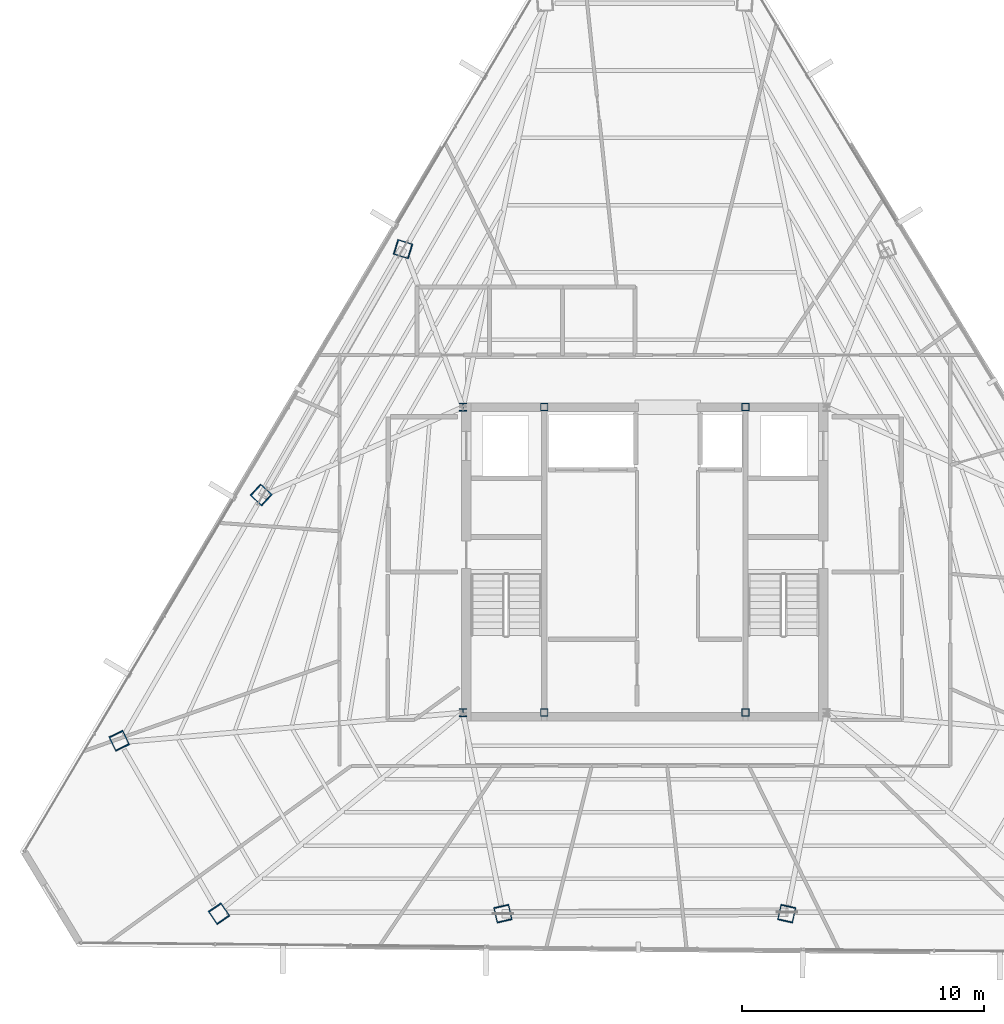
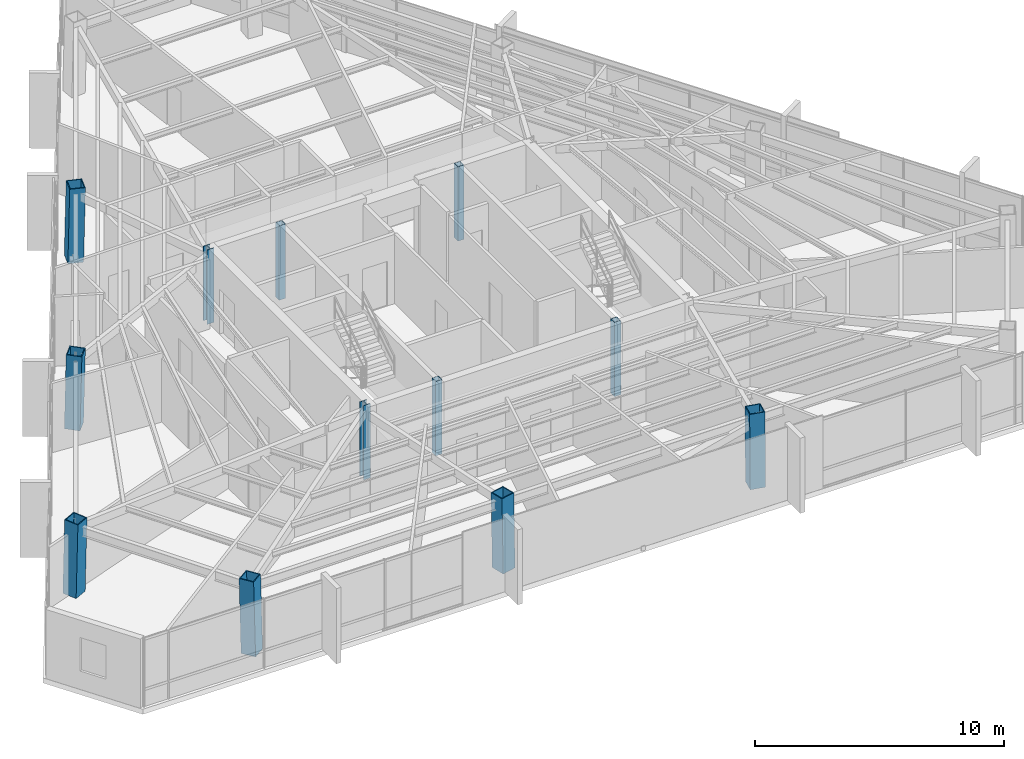
# One storey, part 1 of 42: 12 columns.
"""IFC4 building model written with IfcOpenShell, lengths in metres."""

from ifc_helpers import new_model, si_unit, direction, frame, origin, origin_2d, place, context, subcontext, project, spatial, hollow_rectangle, i_section, extrude, source, transform, mapped, material, material_profile, profile_set, type_object, type_shapes, element, save


model = new_model("IFC4")

# Units and contexts
model_context = context("Model", 3, precision=1e-05, world=origin(), true_north=direction((0.0, 1.0)))
body_context = subcontext(model_context, "Body", "Model", "MODEL_VIEW")
ifc_project = project(units=[si_unit("LENGTHUNIT", "METRE"), si_unit("AREAUNIT", "SQUARE_METRE"), si_unit("VOLUMEUNIT", "CUBIC_METRE"), si_unit("PLANEANGLEUNIT", "RADIAN"), si_unit("MASSUNIT", "GRAM", prefix="KILO")], contexts=[model_context])

# Site, building, storey
site_placement = place(None, origin())
site = spatial("IfcSite", under=ifc_project, at=site_placement, CompositionType="ELEMENT")
building_placement = place(site_placement, origin())
building = spatial("IfcBuilding", under=site, at=building_placement, Name="Caelisora Broadcast Tower", CompositionType="ELEMENT")
storey_placement = place(building_placement, frame((0.0, 0.0, 244.449951171875)))
storey = spatial("IfcBuildingStorey", under=building, at=storey_placement, Name="L64", CompositionType="ELEMENT", Elevation=244.449951171875)

# Columns
ifc_material_1 = material(Name="Steel Grade 350 (AS/NZS 3679.1)", Category="steel")
ifc_material_profile_1 = material_profile(ifc_material_1, i_section(OverallWidth=0.31103515625, OverallDepth=0.3271484375, WebThickness=0.015625, FlangeThickness=0.02490234375, at=origin_2d()), Name="Steel Grade 350 (AS/NZS 3679.1)")
ifc_profile_set_1 = profile_set([ifc_material_profile_1], Name="Steel Grade 350 (AS/NZS 3679.1)")
column_type_1 = type_object("IfcColumnType", Name="CC03", PredefinedType="COLUMN", material=ifc_profile_set_1)
shared_shape_1 = source(origin(), body_context, "Body", "SweptSolid", [
    extrude(i_section(OverallWidth=0.31103515625, OverallDepth=0.3271484375, WebThickness=0.015625, FlangeThickness=0.02490234375, at=origin_2d()), origin(), (0.0, 0.0, 1.0), 3.650146484375),
])
type_shapes(column_type_1, [shared_shape_1])
for number, where, z_axis, x_axis, name in (
    (1, (30.5, 17.39990234375, 0.0), (0.0, 0.0, 1.0), (1.0, 0.0, 0.0), "L64 column CC03"),
    (2, (30.5, 30.0, 0.0), (0.0, 0.0, 1.0), (1.0, 0.0, 0.0), "L64 column CC03"),
):
    element("IfcColumn", number, at=place(storey_placement, frame(where, z_axis=z_axis, x_axis=x_axis)), inside=storey, type_object=column_type_1, Name=name, PredefinedType="COLUMN", context=body_context, shape_type="MappedRepresentation", body=[
        mapped(shared_shape_1, transform((0.0, 0.0, 0.0), scale=1.0)),
    ])
ifc_material_2 = material(Name="Steel Grade 350 L15 (AS/NZS 3678)", Category="steel")
ifc_material_profile_2 = material_profile(ifc_material_2, hollow_rectangle(XDim=0.64990234375, YDim=0.64990234375, WallThickness=0.0400390625, at=origin_2d()), Name="Steel Grade 350 L15 (AS/NZS 3678)")
ifc_profile_set_2 = profile_set([ifc_material_profile_2], Name="Steel Grade 350 L15 (AS/NZS 3678)")
column_type_2 = type_object("IfcColumnType", Name="MC06", PredefinedType="COLUMN", material=ifc_profile_set_2)
shared_shape_2 = source(origin(), body_context, "Body", "SweptSolid", [
    extrude(hollow_rectangle(XDim=0.64990234375, YDim=0.64990234375, WallThickness=0.0400390625, at=origin_2d()), origin(), (0.0, 0.0, 1.0), 3.651123046875),
])
for number, where, z_axis, x_axis, name in (
    (3, (16.315673828125, 16.251220703125, 0.0), (0.010431083049, -0.021597691184, 0.999712324742), (0.900476348161, 0.434904985489, 0.0), "L64 column MC06"),
    (4, (20.447021484375, 9.09521484375, 0.0), (-0.013440068782, 0.019792340097, 0.999713772949), (-0.827290216258, -0.561774775229, 0.0), "L64 column MC06"),
):
    element("IfcColumn", number, at=place(storey_placement, frame(where, z_axis=z_axis, x_axis=x_axis)), inside=storey, type_object=column_type_2, Name=name, PredefinedType="COLUMN", context=body_context, shape_type="MappedRepresentation", body=[
        mapped(shared_shape_2, transform((0.0, 0.0, 0.0), scale=1.0)),
    ])
shared_shape_3 = source(origin(), body_context, "Body", "SweptSolid", [
    extrude(hollow_rectangle(XDim=0.64990234375, YDim=0.64990234375, WallThickness=0.0400390625, at=origin_2d()), origin(), (0.0, 0.0, 1.0), 3.65087890625),
])
type_shapes(column_type_2, [shared_shape_2, shared_shape_3])
for number, where, z_axis, x_axis, name in (
    (5, (28.017578125, 36.51953125, 0.0), (0.01939269685, -0.00601842316, 0.999793829693), (0.296399214872, 0.955064136811, 0.0), "L64 column MC06"),
    (6, (22.16650390625, 26.38525390625, 0.0), (0.014912316331, -0.013775502979, 0.999793907933), (0.678553674548, 0.734550822447, 0.0), "L64 column MC06"),
    (7, (32.14892578125, 9.09521484375, 0.0), (-0.004480382638, 0.019793929266, 0.999794042058), (-0.975326687046, -0.220766513622, 0.0), "L64 column MC06"),
    (8, (43.85107421875, 9.09521484375, 0.0), (0.004480382638, 0.019793929266, 0.999794042058), (-0.975326687046, 0.220766513622, 0.0), "L64 column MC06"),
):
    element("IfcColumn", number, at=place(storey_placement, frame(where, z_axis=z_axis, x_axis=x_axis)), inside=storey, type_object=column_type_2, Name=name, PredefinedType="COLUMN", context=body_context, shape_type="MappedRepresentation", body=[
        mapped(shared_shape_3, transform((0.0, 0.0, 0.0), scale=1.0)),
    ])
ifc_material_3 = material(Name="Steel Grade 350 (AS/NZS 1163 C350L0)", Category="steel")
ifc_material_profile_3 = material_profile(ifc_material_3, hollow_rectangle(XDim=0.300048828125, YDim=0.300048828125, WallThickness=0.012451171875, at=origin_2d()), Name="Steel Grade 350 (AS/NZS 1163 C350L0)")
ifc_profile_set_3 = profile_set([ifc_material_profile_3], Name="Steel Grade 350 (AS/NZS 1163 C350L0)")
column_type_3 = type_object("IfcColumnType", Name="CC08", PredefinedType="COLUMN", material=ifc_profile_set_3)
shared_shape_4 = source(origin(), body_context, "Body", "SweptSolid", [
    extrude(hollow_rectangle(XDim=0.300048828125, YDim=0.300048828125, WallThickness=0.012451171875, at=origin_2d()), origin(), (0.0, 0.0, 1.0), 3.650146484375),
])
type_shapes(column_type_3, [shared_shape_4])
for number, where, z_axis, x_axis, name in (
    (9, (33.85009765625, 17.39990234375, 0.0), (0.0, 0.0, 1.0), (1.0, 0.0, 0.0), "L64 column CC08"),
    (10, (42.14990234375, 17.39990234375, 0.0), (0.0, 0.0, 1.0), (1.0, 0.0, 0.0), "L64 column CC08"),
    (11, (33.85009765625, 30.0, 0.0), (0.0, 0.0, 1.0), (1.0, 0.0, 0.0), "L64 column CC08"),
    (12, (42.14990234375, 30.0, 0.0), (0.0, 0.0, 1.0), (1.0, 0.0, 0.0), "L64 column CC08"),
):
    element("IfcColumn", number, at=place(storey_placement, frame(where, z_axis=z_axis, x_axis=x_axis)), inside=storey, type_object=column_type_3, Name=name, PredefinedType="COLUMN", context=body_context, shape_type="MappedRepresentation", body=[
        mapped(shared_shape_4, transform((0.0, 0.0, 0.0), scale=1.0)),
    ])

save(model, "model.ifc")
